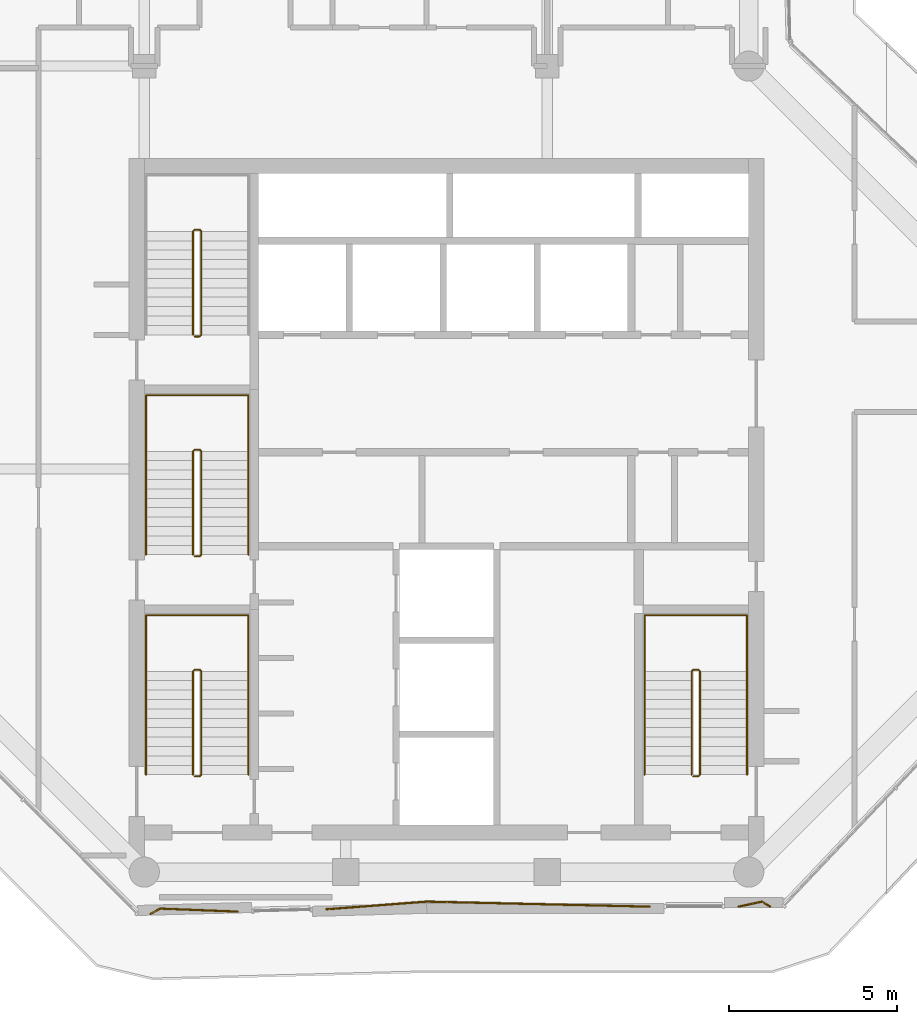
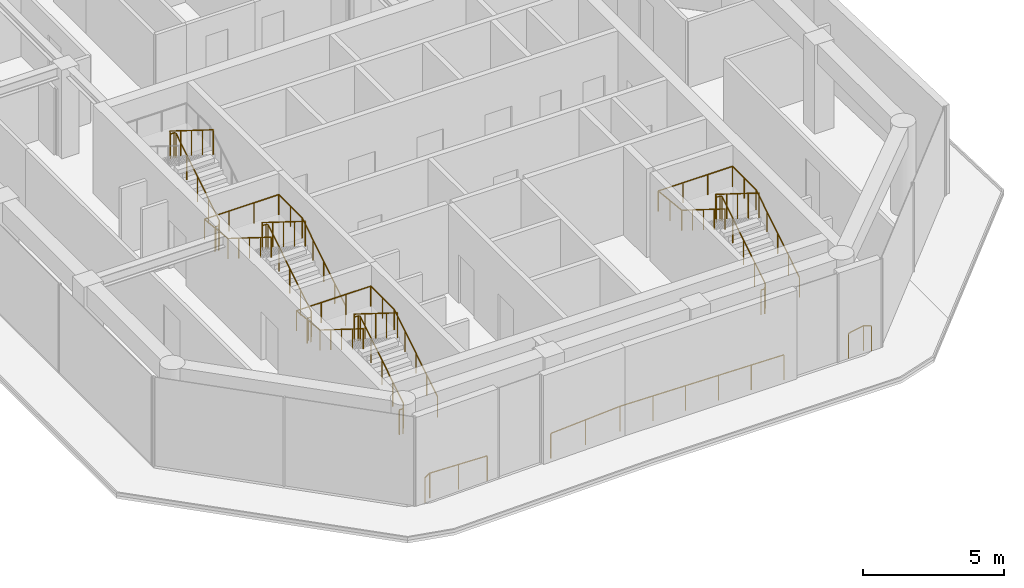
# One storey, part 19 of 20: 10 railings.
"""IFC4 building model written with IfcOpenShell, lengths in metres."""

from ifc_helpers import new_model, si_unit, direction, frame, origin, origin_2d, place, context, subcontext, project, spatial, circle, extrude, material, type_object, element, save


model = new_model("IFC4")

# Units and contexts
model_context = context("Model", 3, precision=1e-05, world=origin(), true_north=direction((0.0, 1.0)))
body_context = subcontext(model_context, "Body", "Model", "MODEL_VIEW")
ifc_project = project(units=[si_unit("LENGTHUNIT", "METRE"), si_unit("AREAUNIT", "SQUARE_METRE"), si_unit("VOLUMEUNIT", "CUBIC_METRE"), si_unit("PLANEANGLEUNIT", "RADIAN"), si_unit("MASSUNIT", "GRAM", prefix="KILO")], contexts=[model_context])

# Site, building, storey
site_placement = place(None, origin())
site = spatial("IfcSite", under=ifc_project, at=site_placement, CompositionType="ELEMENT")
building_placement = place(site_placement, origin())
building = spatial("IfcBuilding", under=site, at=building_placement, Name="Welwitschia Terrace Campus", CompositionType="ELEMENT")
storey_placement = place(building_placement, frame((0.0, 0.0, 222.199951171875)))
storey = spatial("IfcBuildingStorey", under=building, at=storey_placement, Name="L49", CompositionType="ELEMENT", Elevation=222.199951171875)

# Railings
ifc_material_1 = material(Name="Stainless steel grade 316", Category="steel")
railing_type_1 = type_object("IfcRailingType", Name="Guard 1100", PredefinedType="GUARDRAIL", material=ifc_material_1)
railing_1_placement = place(storey_placement, frame((8.781494140625, 2.822509765625, 0.0)))
element("IfcRailing", 1, at=railing_1_placement, inside=storey, type_object=railing_type_1, Name="Guard floor edge L49.1", PredefinedType="GUARDRAIL", context=body_context, shape_type="SweptSolid", body=[
    extrude(circle(Radius=0.02392578125, at=origin_2d()), frame((0.0, 0.0, 1.076171875), z_axis=(-0.99924214888, 0.038924643886, 0.0), x_axis=(-0.038924643886, -0.99924214888, 0.0)), (0.0, 0.0, 1.0), 2.30810546875),
    extrude(circle(Radius=0.02392578125, at=origin_2d()), frame((-2.306396484375, 0.08984375, 1.076171875), z_axis=(-0.87766865125, -0.479267919449, 0.0), x_axis=(0.479267919449, -0.87766865125, 0.0)), (0.0, 0.0, 1.0), 0.3291015625),
    extrude(circle(Radius=0.02099609375, at=origin_2d()), origin(), (0.0, 0.0, 1.0), 1.052001953125),
    extrude(circle(Radius=0.02099609375, at=origin_2d()), frame((-1.1533203125, 0.044921875, 0.0)), (0.0, 0.0, 1.0), 1.052001953125),
    extrude(circle(Radius=0.02099609375, at=origin_2d()), frame((-2.306396484375, 0.08984375, 0.0)), (0.0, 0.0, 1.0), 1.052001953125),
    extrude(circle(Radius=0.02099609375, at=origin_2d()), frame((-2.59521484375, -0.06787109375, 0.0)), (0.0, 0.0, 1.0), 1.052001953125),
])
railing_2_placement = place(storey_placement, frame((21.04931640625, 2.969970703125, 0.0)))
element("IfcRailing", 2, at=railing_2_placement, inside=storey, type_object=railing_type_1, Name="Guard floor edge L49.3", PredefinedType="GUARDRAIL", context=body_context, shape_type="SweptSolid", body=[
    extrude(circle(Radius=0.02392578125, at=origin_2d()), frame((0.0, 0.0, 1.076171875), z_axis=(-0.999744504045, 0.022603686261, 0.0), x_axis=(-0.022603686261, -0.999744504045, 0.0)), (0.0, 0.0, 1.0), 6.642578125),
    extrude(circle(Radius=0.02392578125, at=origin_2d()), frame((-6.640869140625, 0.150146484375, 1.076171875), z_axis=(-0.997079893717, -0.076365473511, 0.0), x_axis=(0.076365473511, -0.997079893717, 0.0)), (0.0, 0.0, 1.0), 2.9892578125),
    extrude(circle(Radius=0.02099609375, at=origin_2d()), origin(), (0.0, 0.0, 1.0), 1.052001953125),
    extrude(circle(Radius=0.02099609375, at=origin_2d()), frame((-1.328125, 0.030029296875, 0.0)), (0.0, 0.0, 1.0), 1.052001953125),
    extrude(circle(Radius=0.02099609375, at=origin_2d()), frame((-2.65625, 0.06005859375, 0.0)), (0.0, 0.0, 1.0), 1.052001953125),
    extrude(circle(Radius=0.02099609375, at=origin_2d()), frame((-3.984619140625, 0.090087890625, 0.0)), (0.0, 0.0, 1.0), 1.052001953125),
    extrude(circle(Radius=0.02099609375, at=origin_2d()), frame((-5.312744140625, 0.1201171875, 0.0)), (0.0, 0.0, 1.0), 1.052001953125),
    extrude(circle(Radius=0.02099609375, at=origin_2d()), frame((-6.640869140625, 0.150146484375, 0.0)), (0.0, 0.0, 1.0), 1.052001953125),
    extrude(circle(Radius=0.02099609375, at=origin_2d()), frame((-8.131103515625, 0.0361328125, 0.0)), (0.0, 0.0, 1.0), 1.052001953125),
    extrude(circle(Radius=0.02099609375, at=origin_2d()), frame((-9.621337890625, -0.078125, 0.0)), (0.0, 0.0, 1.0), 1.052001953125),
])
railing_3_placement = place(storey_placement, frame((24.641357421875, 2.969970703125, 0.0)))
element("IfcRailing", 3, at=railing_3_placement, inside=storey, type_object=railing_type_1, Name="Guard floor edge L49.5", PredefinedType="GUARDRAIL", context=body_context, shape_type="SweptSolid", body=[
    extrude(circle(Radius=0.02392578125, at=origin_2d()), frame((0.0, 0.0, 1.076171875), z_axis=(-0.853887909226, 0.520456951609, 0.0), x_axis=(-0.520456951609, -0.853887909226, 0.0)), (0.0, 0.0, 1.0), 0.28857421875),
    extrude(circle(Radius=0.02392578125, at=origin_2d()), frame((-0.246337890625, 0.150146484375, 1.076171875), z_axis=(-0.977652088752, -0.210229382721, 0.0), x_axis=(0.210229382721, -0.977652088752, 0.0)), (0.0, 0.0, 1.0), 0.714111328125),
    extrude(circle(Radius=0.02099609375, at=origin_2d()), origin(), (0.0, 0.0, 1.0), 1.052001953125),
    extrude(circle(Radius=0.02099609375, at=origin_2d()), frame((-0.246337890625, 0.150146484375, 0.0)), (0.0, 0.0, 1.0), 1.052001953125),
    extrude(circle(Radius=0.02099609375, at=origin_2d()), frame((-0.944580078125, 0.0, 0.0)), (0.0, 0.0, 1.0), 1.052001953125),
])
ifc_material_2 = material(Name="Steel S355", Category="steel")
railing_type_2 = type_object("IfcRailingType", Name="Stair guard 1100", PredefinedType="GUARDRAIL", material=ifc_material_2)
railing_4_placement = place(storey_placement, frame((7.5, 6.85009765625, 0.0)))
element("IfcRailing", 4, at=railing_4_placement, inside=storey, type_object=railing_type_2, Name="L49 S1 stair guard", PredefinedType="GUARDRAIL", context=body_context, shape_type="SweptSolid", body=[
    extrude(circle(Radius=0.02392578125, at=origin_2d()), frame((0.0, 0.0, 1.076171875), z_axis=(1.0, 0.0, 0.0), x_axis=(0.0, 1.0, 0.0)), (0.0, 0.0, 1.0), 0.14990234375),
    extrude(circle(Radius=0.02392578125, at=origin_2d()), frame((0.14990234375, 0.0, 1.076171875), z_axis=(0.265155923931, 0.263862480399, 0.927399011991), x_axis=(-0.705375805398, 0.708833529934, 0.0)), (0.0, 0.0, 1.0), 0.188720703125),
    extrude(circle(Radius=0.02392578125, at=origin_2d()), frame((0.199951171875, 0.0498046875, 1.2509765625), z_axis=(0.0, 0.847998304005, 0.529998940003), x_axis=(-1.0, 0.0, 0.0)), (0.0, 0.0, 1.0), 3.632080078125),
    extrude(circle(Radius=0.02392578125, at=origin_2d()), frame((0.199951171875, 3.1298828125, 3.17626953125), z_axis=(-0.707106781187, 0.707106781187, 0.0), x_axis=(-0.707106781187, -0.707106781187, 0.0)), (0.0, 0.0, 1.0), 0.07080078125),
    extrude(circle(Radius=0.02392578125, at=origin_2d()), frame((0.14990234375, 3.179931640625, 3.17626953125), z_axis=(-1.0, 0.0, 0.0), x_axis=(0.0, -1.0, 0.0)), (0.0, 0.0, 1.0), 0.14990234375),
    extrude(circle(Radius=0.02392578125, at=origin_2d()), frame((0.0, 3.179931640625, 3.17626953125), z_axis=(-0.265065253269, -0.265065253269, 0.927081885822), x_axis=(0.707106781187, -0.707106781187, 0.0)), (0.0, 0.0, 1.0), 0.188720703125),
    extrude(circle(Radius=0.02392578125, at=origin_2d()), frame((-0.050048828125, 3.1298828125, 3.35107421875), z_axis=(0.0, -0.848028513186, 0.529950602248), x_axis=(1.0, 0.0, 0.0)), (0.0, 0.0, 1.0), 3.632080078125),
    extrude(circle(Radius=0.02099609375, at=origin_2d()), origin(), (0.0, 0.0, 1.0), 1.052001953125),
    extrude(circle(Radius=0.02099609375, at=origin_2d()), frame((0.14990234375, 0.0, 0.0)), (0.0, 0.0, 1.0), 1.052001953125),
    extrude(circle(Radius=0.02099609375, at=origin_2d()), frame((0.199951171875, 0.0498046875, 0.175048828125)), (0.0, 0.0, 1.0), 1.052001953125),
    extrude(circle(Radius=0.02099609375, at=origin_2d()), frame((0.199951171875, 0.81982421875, 0.65625)), (0.0, 0.0, 1.0), 1.052001953125),
    extrude(circle(Radius=0.02099609375, at=origin_2d()), frame((0.199951171875, 1.58984375, 1.1376953125)), (0.0, 0.0, 1.0), 1.052001953125),
    extrude(circle(Radius=0.02099609375, at=origin_2d()), frame((0.199951171875, 2.35986328125, 1.618896484375)), (0.0, 0.0, 1.0), 1.052001953125),
    extrude(circle(Radius=0.02099609375, at=origin_2d()), frame((0.199951171875, 3.1298828125, 2.10009765625)), (0.0, 0.0, 1.0), 1.052001953125),
    extrude(circle(Radius=0.02099609375, at=origin_2d()), frame((0.14990234375, 3.179931640625, 2.10009765625)), (0.0, 0.0, 1.0), 1.052001953125),
    extrude(circle(Radius=0.02099609375, at=origin_2d()), frame((0.0, 3.179931640625, 2.10009765625)), (0.0, 0.0, 1.0), 1.052001953125),
    extrude(circle(Radius=0.02099609375, at=origin_2d()), frame((-0.050048828125, 3.1298828125, 2.275146484375)), (0.0, 0.0, 1.0), 1.052001953125),
    extrude(circle(Radius=0.02099609375, at=origin_2d()), frame((-0.050048828125, 2.35986328125, 2.75634765625)), (0.0, 0.0, 1.0), 1.052001953125),
    extrude(circle(Radius=0.02099609375, at=origin_2d()), frame((-0.050048828125, 1.58984375, 3.237548828125)), (0.0, 0.0, 1.0), 1.052001953125),
    extrude(circle(Radius=0.02099609375, at=origin_2d()), frame((-0.050048828125, 0.81982421875, 3.71875)), (0.0, 0.0, 1.0), 1.052001953125),
    extrude(circle(Radius=0.02099609375, at=origin_2d()), frame((-0.050048828125, 0.0498046875, 4.199951171875)), (0.0, 0.0, 1.0), 1.052001953125),
])
railing_5_placement = place(storey_placement, frame((7.5, 13.39990234375, 0.0)))
element("IfcRailing", 5, at=railing_5_placement, inside=storey, type_object=railing_type_2, Name="L49 S3 stair guard", PredefinedType="GUARDRAIL", context=body_context, shape_type="SweptSolid", body=[
    extrude(circle(Radius=0.02392578125, at=origin_2d()), frame((0.0, 0.0, 1.076171875), z_axis=(1.0, 0.0, 0.0), x_axis=(0.0, 1.0, 0.0)), (0.0, 0.0, 1.0), 0.14990234375),
    extrude(circle(Radius=0.02392578125, at=origin_2d()), frame((0.14990234375, 0.0, 1.076171875), z_axis=(0.265065253269, 0.265065253269, 0.927081885822), x_axis=(-0.707106781187, 0.707106781187, 0.0)), (0.0, 0.0, 1.0), 0.188720703125),
    extrude(circle(Radius=0.02392578125, at=origin_2d()), frame((0.199951171875, 0.050048828125, 1.2509765625), z_axis=(0.0, 0.847998304005, 0.529998940003), x_axis=(-1.0, 0.0, 0.0)), (0.0, 0.0, 1.0), 3.632080078125),
    extrude(circle(Radius=0.02392578125, at=origin_2d()), frame((0.199951171875, 3.130126953125, 3.17626953125), z_axis=(-0.707106781187, 0.707106781187, 0.0), x_axis=(-0.707106781187, -0.707106781187, 0.0)), (0.0, 0.0, 1.0), 0.07080078125),
    extrude(circle(Radius=0.02392578125, at=origin_2d()), frame((0.14990234375, 3.18017578125, 3.17626953125), z_axis=(-1.0, 0.0, 0.0), x_axis=(0.0, -1.0, 0.0)), (0.0, 0.0, 1.0), 0.14990234375),
    extrude(circle(Radius=0.02392578125, at=origin_2d()), frame((0.0, 3.18017578125, 3.17626953125), z_axis=(-0.265065253269, -0.265065253269, 0.927081885822), x_axis=(0.707106781187, -0.707106781187, 0.0)), (0.0, 0.0, 1.0), 0.188720703125),
    extrude(circle(Radius=0.02392578125, at=origin_2d()), frame((-0.050048828125, 3.130126953125, 3.35107421875), z_axis=(0.0, -0.848028513186, 0.529950602248), x_axis=(1.0, 0.0, 0.0)), (0.0, 0.0, 1.0), 3.632080078125),
    extrude(circle(Radius=0.02099609375, at=origin_2d()), origin(), (0.0, 0.0, 1.0), 1.052001953125),
    extrude(circle(Radius=0.02099609375, at=origin_2d()), frame((0.14990234375, 0.0, 0.0)), (0.0, 0.0, 1.0), 1.052001953125),
    extrude(circle(Radius=0.02099609375, at=origin_2d()), frame((0.199951171875, 0.050048828125, 0.175048828125)), (0.0, 0.0, 1.0), 1.052001953125),
    extrude(circle(Radius=0.02099609375, at=origin_2d()), frame((0.199951171875, 0.820068359375, 0.65625)), (0.0, 0.0, 1.0), 1.052001953125),
    extrude(circle(Radius=0.02099609375, at=origin_2d()), frame((0.199951171875, 1.590087890625, 1.1376953125)), (0.0, 0.0, 1.0), 1.052001953125),
    extrude(circle(Radius=0.02099609375, at=origin_2d()), frame((0.199951171875, 2.360107421875, 1.618896484375)), (0.0, 0.0, 1.0), 1.052001953125),
    extrude(circle(Radius=0.02099609375, at=origin_2d()), frame((0.199951171875, 3.130126953125, 2.10009765625)), (0.0, 0.0, 1.0), 1.052001953125),
    extrude(circle(Radius=0.02099609375, at=origin_2d()), frame((0.14990234375, 3.18017578125, 2.10009765625)), (0.0, 0.0, 1.0), 1.052001953125),
    extrude(circle(Radius=0.02099609375, at=origin_2d()), frame((0.0, 3.18017578125, 2.10009765625)), (0.0, 0.0, 1.0), 1.052001953125),
    extrude(circle(Radius=0.02099609375, at=origin_2d()), frame((-0.050048828125, 3.130126953125, 2.275146484375)), (0.0, 0.0, 1.0), 1.052001953125),
    extrude(circle(Radius=0.02099609375, at=origin_2d()), frame((-0.050048828125, 2.360107421875, 2.75634765625)), (0.0, 0.0, 1.0), 1.052001953125),
    extrude(circle(Radius=0.02099609375, at=origin_2d()), frame((-0.050048828125, 1.590087890625, 3.237548828125)), (0.0, 0.0, 1.0), 1.052001953125),
    extrude(circle(Radius=0.02099609375, at=origin_2d()), frame((-0.050048828125, 0.820068359375, 3.71875)), (0.0, 0.0, 1.0), 1.052001953125),
    extrude(circle(Radius=0.02099609375, at=origin_2d()), frame((-0.050048828125, 0.050048828125, 4.199951171875)), (0.0, 0.0, 1.0), 1.052001953125),
])
railing_6_placement = place(storey_placement, frame((7.5, 19.949951171875, 0.0)))
element("IfcRailing", 6, at=railing_6_placement, inside=storey, type_object=railing_type_2, Name="L49 S4 stair guard", PredefinedType="GUARDRAIL", context=body_context, shape_type="SweptSolid", body=[
    extrude(circle(Radius=0.02392578125, at=origin_2d()), frame((0.0, 0.0, 1.076171875), z_axis=(1.0, 0.0, 0.0), x_axis=(0.0, 1.0, 0.0)), (0.0, 0.0, 1.0), 0.14990234375),
    extrude(circle(Radius=0.02392578125, at=origin_2d()), frame((0.14990234375, 0.0, 1.076171875), z_axis=(0.265065253269, 0.265065253269, 0.927081885822), x_axis=(-0.707106781187, 0.707106781187, 0.0)), (0.0, 0.0, 1.0), 0.188720703125),
    extrude(circle(Radius=0.02392578125, at=origin_2d()), frame((0.199951171875, 0.050048828125, 1.2509765625), z_axis=(0.0, 0.847998304005, 0.529998940003), x_axis=(-1.0, 0.0, 0.0)), (0.0, 0.0, 1.0), 3.632080078125),
    extrude(circle(Radius=0.02392578125, at=origin_2d()), frame((0.199951171875, 3.130126953125, 3.17626953125), z_axis=(-0.708833529934, 0.705375805398, 0.0), x_axis=(-0.705375805398, -0.708833529934, 0.0)), (0.0, 0.0, 1.0), 0.070556640625),
    extrude(circle(Radius=0.02392578125, at=origin_2d()), frame((0.14990234375, 3.179931640625, 3.17626953125), z_axis=(-1.0, 0.0, 0.0), x_axis=(0.0, -1.0, 0.0)), (0.0, 0.0, 1.0), 0.14990234375),
    extrude(circle(Radius=0.02392578125, at=origin_2d()), frame((0.0, 3.179931640625, 3.17626953125), z_axis=(-0.265155923931, -0.263862480399, 0.927399011991), x_axis=(0.705375805398, -0.708833529934, 0.0)), (0.0, 0.0, 1.0), 0.188720703125),
    extrude(circle(Radius=0.02392578125, at=origin_2d()), frame((-0.050048828125, 3.130126953125, 3.35107421875), z_axis=(0.0, -0.848028513186, 0.529950602248), x_axis=(1.0, 0.0, 0.0)), (0.0, 0.0, 1.0), 3.632080078125),
    extrude(circle(Radius=0.02099609375, at=origin_2d()), origin(), (0.0, 0.0, 1.0), 1.052001953125),
    extrude(circle(Radius=0.02099609375, at=origin_2d()), frame((0.14990234375, 0.0, 0.0)), (0.0, 0.0, 1.0), 1.052001953125),
    extrude(circle(Radius=0.02099609375, at=origin_2d()), frame((0.199951171875, 0.050048828125, 0.175048828125)), (0.0, 0.0, 1.0), 1.052001953125),
    extrude(circle(Radius=0.02099609375, at=origin_2d()), frame((0.199951171875, 0.820068359375, 0.65625)), (0.0, 0.0, 1.0), 1.052001953125),
    extrude(circle(Radius=0.02099609375, at=origin_2d()), frame((0.199951171875, 1.590087890625, 1.1376953125)), (0.0, 0.0, 1.0), 1.052001953125),
    extrude(circle(Radius=0.02099609375, at=origin_2d()), frame((0.199951171875, 2.360107421875, 1.618896484375)), (0.0, 0.0, 1.0), 1.052001953125),
    extrude(circle(Radius=0.02099609375, at=origin_2d()), frame((0.199951171875, 3.130126953125, 2.10009765625)), (0.0, 0.0, 1.0), 1.052001953125),
    extrude(circle(Radius=0.02099609375, at=origin_2d()), frame((0.14990234375, 3.179931640625, 2.10009765625)), (0.0, 0.0, 1.0), 1.052001953125),
    extrude(circle(Radius=0.02099609375, at=origin_2d()), frame((0.0, 3.179931640625, 2.10009765625)), (0.0, 0.0, 1.0), 1.052001953125),
    extrude(circle(Radius=0.02099609375, at=origin_2d()), frame((-0.050048828125, 3.130126953125, 2.275146484375)), (0.0, 0.0, 1.0), 1.052001953125),
    extrude(circle(Radius=0.02099609375, at=origin_2d()), frame((-0.050048828125, 2.360107421875, 2.75634765625)), (0.0, 0.0, 1.0), 1.052001953125),
    extrude(circle(Radius=0.02099609375, at=origin_2d()), frame((-0.050048828125, 1.590087890625, 3.237548828125)), (0.0, 0.0, 1.0), 1.052001953125),
    extrude(circle(Radius=0.02099609375, at=origin_2d()), frame((-0.050048828125, 0.820068359375, 3.71875)), (0.0, 0.0, 1.0), 1.052001953125),
    extrude(circle(Radius=0.02099609375, at=origin_2d()), frame((-0.050048828125, 0.050048828125, 4.199951171875)), (0.0, 0.0, 1.0), 1.052001953125),
])
railing_7_placement = place(storey_placement, frame((22.35009765625, 6.85009765625, 0.0)))
element("IfcRailing", 7, at=railing_7_placement, inside=storey, type_object=railing_type_2, Name="L49 S2 stair guard", PredefinedType="GUARDRAIL", context=body_context, shape_type="SweptSolid", body=[
    extrude(circle(Radius=0.02392578125, at=origin_2d()), frame((0.0, 0.0, 1.076171875), z_axis=(1.0, 0.0, 0.0), x_axis=(0.0, 1.0, 0.0)), (0.0, 0.0, 1.0), 0.14990234375),
    extrude(circle(Radius=0.02392578125, at=origin_2d()), frame((0.14990234375, 0.0, 1.076171875), z_axis=(0.265155923931, 0.263862480399, 0.927399011991), x_axis=(-0.705375805398, 0.708833529934, 0.0)), (0.0, 0.0, 1.0), 0.188720703125),
    extrude(circle(Radius=0.02392578125, at=origin_2d()), frame((0.199951171875, 0.0498046875, 1.2509765625), z_axis=(0.0, 0.847998304005, 0.529998940003), x_axis=(-1.0, 0.0, 0.0)), (0.0, 0.0, 1.0), 3.632080078125),
    extrude(circle(Radius=0.02392578125, at=origin_2d()), frame((0.199951171875, 3.1298828125, 3.17626953125), z_axis=(-0.707106781187, 0.707106781187, 0.0), x_axis=(-0.707106781187, -0.707106781187, 0.0)), (0.0, 0.0, 1.0), 0.07080078125),
    extrude(circle(Radius=0.02392578125, at=origin_2d()), frame((0.14990234375, 3.179931640625, 3.17626953125), z_axis=(-1.0, 0.0, 0.0), x_axis=(0.0, -1.0, 0.0)), (0.0, 0.0, 1.0), 0.14990234375),
    extrude(circle(Radius=0.02392578125, at=origin_2d()), frame((0.0, 3.179931640625, 3.17626953125), z_axis=(-0.265065253269, -0.265065253269, 0.927081885822), x_axis=(0.707106781187, -0.707106781187, 0.0)), (0.0, 0.0, 1.0), 0.188720703125),
    extrude(circle(Radius=0.02392578125, at=origin_2d()), frame((-0.050048828125, 3.1298828125, 3.35107421875), z_axis=(0.0, -0.848028513186, 0.529950602248), x_axis=(1.0, 0.0, 0.0)), (0.0, 0.0, 1.0), 3.632080078125),
    extrude(circle(Radius=0.02099609375, at=origin_2d()), origin(), (0.0, 0.0, 1.0), 1.052001953125),
    extrude(circle(Radius=0.02099609375, at=origin_2d()), frame((0.14990234375, 0.0, 0.0)), (0.0, 0.0, 1.0), 1.052001953125),
    extrude(circle(Radius=0.02099609375, at=origin_2d()), frame((0.199951171875, 0.0498046875, 0.175048828125)), (0.0, 0.0, 1.0), 1.052001953125),
    extrude(circle(Radius=0.02099609375, at=origin_2d()), frame((0.199951171875, 0.81982421875, 0.65625)), (0.0, 0.0, 1.0), 1.052001953125),
    extrude(circle(Radius=0.02099609375, at=origin_2d()), frame((0.199951171875, 1.58984375, 1.1376953125)), (0.0, 0.0, 1.0), 1.052001953125),
    extrude(circle(Radius=0.02099609375, at=origin_2d()), frame((0.199951171875, 2.35986328125, 1.618896484375)), (0.0, 0.0, 1.0), 1.052001953125),
    extrude(circle(Radius=0.02099609375, at=origin_2d()), frame((0.199951171875, 3.1298828125, 2.10009765625)), (0.0, 0.0, 1.0), 1.052001953125),
    extrude(circle(Radius=0.02099609375, at=origin_2d()), frame((0.14990234375, 3.179931640625, 2.10009765625)), (0.0, 0.0, 1.0), 1.052001953125),
    extrude(circle(Radius=0.02099609375, at=origin_2d()), frame((0.0, 3.179931640625, 2.10009765625)), (0.0, 0.0, 1.0), 1.052001953125),
    extrude(circle(Radius=0.02099609375, at=origin_2d()), frame((-0.050048828125, 3.1298828125, 2.275146484375)), (0.0, 0.0, 1.0), 1.052001953125),
    extrude(circle(Radius=0.02099609375, at=origin_2d()), frame((-0.050048828125, 2.35986328125, 2.75634765625)), (0.0, 0.0, 1.0), 1.052001953125),
    extrude(circle(Radius=0.02099609375, at=origin_2d()), frame((-0.050048828125, 1.58984375, 3.237548828125)), (0.0, 0.0, 1.0), 1.052001953125),
    extrude(circle(Radius=0.02099609375, at=origin_2d()), frame((-0.050048828125, 0.81982421875, 3.71875)), (0.0, 0.0, 1.0), 1.052001953125),
    extrude(circle(Radius=0.02099609375, at=origin_2d()), frame((-0.050048828125, 0.0498046875, 4.199951171875)), (0.0, 0.0, 1.0), 1.052001953125),
])
ifc_material_3 = material(Name="Steel S355", Category="steel")
railing_type_3 = type_object("IfcRailingType", Name="Stair handrail 900", PredefinedType="HANDRAIL", material=ifc_material_3)
railing_8_placement = place(storey_placement, frame((9.10009765625, 6.89990234375, 0.175048828125)))
element("IfcRailing", 8, at=railing_8_placement, inside=storey, type_object=railing_type_3, Name="L49 S1 stair handrail", PredefinedType="HANDRAIL", context=body_context, shape_type="SweptSolid", body=[
    extrude(circle(Radius=0.02392578125, at=origin_2d()), frame((0.0, 0.0, 0.8759765625), z_axis=(0.0, 0.847998304005, 0.529998940003), x_axis=(-1.0, 0.0, 0.0)), (0.0, 0.0, 1.0), 3.632080078125),
    extrude(circle(Radius=0.02392578125, at=origin_2d()), frame((0.0, 3.080078125, 2.80078125), z_axis=(0.0, 1.0, 0.0), x_axis=(-1.0, 0.0, 0.0)), (0.0, 0.0, 1.0), 1.669921875),
    extrude(circle(Radius=0.02392578125, at=origin_2d()), frame((0.0, 4.75, 2.80078125), z_axis=(-1.0, 0.0, 0.0), x_axis=(0.0, -1.0, 0.0)), (0.0, 0.0, 1.0), 3.050048828125),
    extrude(circle(Radius=0.02392578125, at=origin_2d()), frame((-3.050048828125, 4.75, 2.80078125), z_axis=(0.0, -0.99455077262, 0.104253348533), x_axis=(1.0, 0.0, 0.0)), (0.0, 0.0, 1.0), 1.678955078125),
    extrude(circle(Radius=0.02392578125, at=origin_2d()), frame((-3.050048828125, 3.080078125, 2.97607421875), z_axis=(0.0, -0.848028513186, 0.529950602248), x_axis=(1.0, 0.0, 0.0)), (0.0, 0.0, 1.0), 3.632080078125),
    extrude(circle(Radius=0.02099609375, at=origin_2d()), origin(), (0.0, 0.0, 1.0), 0.851806640625),
    extrude(circle(Radius=0.02099609375, at=origin_2d()), frame((0.0, 0.77001953125, 0.481201171875)), (0.0, 0.0, 1.0), 0.851806640625),
    extrude(circle(Radius=0.02099609375, at=origin_2d()), frame((0.0, 1.5400390625, 0.96240234375)), (0.0, 0.0, 1.0), 0.851806640625),
    extrude(circle(Radius=0.02099609375, at=origin_2d()), frame((0.0, 2.31005859375, 1.44384765625)), (0.0, 0.0, 1.0), 0.851806640625),
    extrude(circle(Radius=0.02099609375, at=origin_2d()), frame((0.0, 3.080078125, 1.925048828125)), (0.0, 0.0, 1.0), 0.851806640625),
    extrude(circle(Radius=0.02099609375, at=origin_2d()), frame((0.0, 3.9150390625, 1.925048828125)), (0.0, 0.0, 1.0), 0.851806640625),
    extrude(circle(Radius=0.02099609375, at=origin_2d()), frame((0.0, 4.75, 1.925048828125)), (0.0, 0.0, 1.0), 0.851806640625),
    extrude(circle(Radius=0.02099609375, at=origin_2d()), frame((-1.0166015625, 4.75, 1.925048828125)), (0.0, 0.0, 1.0), 0.851806640625),
    extrude(circle(Radius=0.02099609375, at=origin_2d()), frame((-2.033447265625, 4.75, 1.925048828125)), (0.0, 0.0, 1.0), 0.851806640625),
    extrude(circle(Radius=0.02099609375, at=origin_2d()), frame((-3.050048828125, 4.75, 1.925048828125)), (0.0, 0.0, 1.0), 0.851806640625),
    extrude(circle(Radius=0.02099609375, at=origin_2d()), frame((-3.050048828125, 3.9150390625, 2.0126953125)), (0.0, 0.0, 1.0), 0.851806640625),
    extrude(circle(Radius=0.02099609375, at=origin_2d()), frame((-3.050048828125, 3.080078125, 2.10009765625)), (0.0, 0.0, 1.0), 0.851806640625),
    extrude(circle(Radius=0.02099609375, at=origin_2d()), frame((-3.050048828125, 2.31005859375, 2.581298828125)), (0.0, 0.0, 1.0), 0.851806640625),
    extrude(circle(Radius=0.02099609375, at=origin_2d()), frame((-3.050048828125, 1.5400390625, 3.0625)), (0.0, 0.0, 1.0), 0.851806640625),
    extrude(circle(Radius=0.02099609375, at=origin_2d()), frame((-3.050048828125, 0.77001953125, 3.543701171875)), (0.0, 0.0, 1.0), 0.851806640625),
    extrude(circle(Radius=0.02099609375, at=origin_2d()), frame((-3.050048828125, 0.0, 4.02490234375)), (0.0, 0.0, 1.0), 0.851806640625),
])
railing_9_placement = place(storey_placement, frame((9.10009765625, 13.449951171875, 0.175048828125)))
element("IfcRailing", 9, at=railing_9_placement, inside=storey, type_object=railing_type_3, Name="L49 S3 stair handrail", PredefinedType="HANDRAIL", context=body_context, shape_type="SweptSolid", body=[
    extrude(circle(Radius=0.02392578125, at=origin_2d()), frame((0.0, 0.0, 0.8759765625), z_axis=(0.0, 0.847998304005, 0.529998940003), x_axis=(-1.0, 0.0, 0.0)), (0.0, 0.0, 1.0), 3.632080078125),
    extrude(circle(Radius=0.02392578125, at=origin_2d()), frame((0.0, 3.080078125, 2.80078125), z_axis=(0.0, 1.0, 0.0), x_axis=(-1.0, 0.0, 0.0)), (0.0, 0.0, 1.0), 1.669921875),
    extrude(circle(Radius=0.02392578125, at=origin_2d()), frame((0.0, 4.75, 2.80078125), z_axis=(-1.0, 0.0, 0.0), x_axis=(0.0, -1.0, 0.0)), (0.0, 0.0, 1.0), 3.050048828125),
    extrude(circle(Radius=0.02392578125, at=origin_2d()), frame((-3.050048828125, 4.75, 2.80078125), z_axis=(0.0, -0.99455077262, 0.104253348533), x_axis=(1.0, 0.0, 0.0)), (0.0, 0.0, 1.0), 1.678955078125),
    extrude(circle(Radius=0.02392578125, at=origin_2d()), frame((-3.050048828125, 3.080078125, 2.97607421875), z_axis=(0.0, -0.848028513186, 0.529950602248), x_axis=(1.0, 0.0, 0.0)), (0.0, 0.0, 1.0), 3.632080078125),
    extrude(circle(Radius=0.02099609375, at=origin_2d()), origin(), (0.0, 0.0, 1.0), 0.851806640625),
    extrude(circle(Radius=0.02099609375, at=origin_2d()), frame((0.0, 0.77001953125, 0.481201171875)), (0.0, 0.0, 1.0), 0.851806640625),
    extrude(circle(Radius=0.02099609375, at=origin_2d()), frame((0.0, 1.5400390625, 0.96240234375)), (0.0, 0.0, 1.0), 0.851806640625),
    extrude(circle(Radius=0.02099609375, at=origin_2d()), frame((0.0, 2.31005859375, 1.44384765625)), (0.0, 0.0, 1.0), 0.851806640625),
    extrude(circle(Radius=0.02099609375, at=origin_2d()), frame((0.0, 3.080078125, 1.925048828125)), (0.0, 0.0, 1.0), 0.851806640625),
    extrude(circle(Radius=0.02099609375, at=origin_2d()), frame((0.0, 3.9150390625, 1.925048828125)), (0.0, 0.0, 1.0), 0.851806640625),
    extrude(circle(Radius=0.02099609375, at=origin_2d()), frame((0.0, 4.75, 1.925048828125)), (0.0, 0.0, 1.0), 0.851806640625),
    extrude(circle(Radius=0.02099609375, at=origin_2d()), frame((-1.0166015625, 4.75, 1.925048828125)), (0.0, 0.0, 1.0), 0.851806640625),
    extrude(circle(Radius=0.02099609375, at=origin_2d()), frame((-2.033447265625, 4.75, 1.925048828125)), (0.0, 0.0, 1.0), 0.851806640625),
    extrude(circle(Radius=0.02099609375, at=origin_2d()), frame((-3.050048828125, 4.75, 1.925048828125)), (0.0, 0.0, 1.0), 0.851806640625),
    extrude(circle(Radius=0.02099609375, at=origin_2d()), frame((-3.050048828125, 3.9150390625, 2.0126953125)), (0.0, 0.0, 1.0), 0.851806640625),
    extrude(circle(Radius=0.02099609375, at=origin_2d()), frame((-3.050048828125, 3.080078125, 2.10009765625)), (0.0, 0.0, 1.0), 0.851806640625),
    extrude(circle(Radius=0.02099609375, at=origin_2d()), frame((-3.050048828125, 2.31005859375, 2.581298828125)), (0.0, 0.0, 1.0), 0.851806640625),
    extrude(circle(Radius=0.02099609375, at=origin_2d()), frame((-3.050048828125, 1.5400390625, 3.0625)), (0.0, 0.0, 1.0), 0.851806640625),
    extrude(circle(Radius=0.02099609375, at=origin_2d()), frame((-3.050048828125, 0.77001953125, 3.543701171875)), (0.0, 0.0, 1.0), 0.851806640625),
    extrude(circle(Radius=0.02099609375, at=origin_2d()), frame((-3.050048828125, 0.0, 4.02490234375)), (0.0, 0.0, 1.0), 0.851806640625),
])
railing_10_placement = place(storey_placement, frame((23.949951171875, 6.89990234375, 0.175048828125)))
element("IfcRailing", 10, at=railing_10_placement, inside=storey, type_object=railing_type_3, Name="L49 S2 stair handrail", PredefinedType="HANDRAIL", context=body_context, shape_type="SweptSolid", body=[
    extrude(circle(Radius=0.02392578125, at=origin_2d()), frame((0.0, 0.0, 0.8759765625), z_axis=(0.0, 0.847998304005, 0.529998940003), x_axis=(-1.0, 0.0, 0.0)), (0.0, 0.0, 1.0), 3.632080078125),
    extrude(circle(Radius=0.02392578125, at=origin_2d()), frame((0.0, 3.080078125, 2.80078125), z_axis=(0.0, 1.0, 0.0), x_axis=(-1.0, 0.0, 0.0)), (0.0, 0.0, 1.0), 1.669921875),
    extrude(circle(Radius=0.02392578125, at=origin_2d()), frame((0.0, 4.75, 2.80078125), z_axis=(-1.0, 0.0, 0.0), x_axis=(0.0, -1.0, 0.0)), (0.0, 0.0, 1.0), 3.050048828125),
    extrude(circle(Radius=0.02392578125, at=origin_2d()), frame((-3.050048828125, 4.75, 2.80078125), z_axis=(0.0, -0.99455077262, 0.104253348533), x_axis=(1.0, 0.0, 0.0)), (0.0, 0.0, 1.0), 1.678955078125),
    extrude(circle(Radius=0.02392578125, at=origin_2d()), frame((-3.050048828125, 3.080078125, 2.97607421875), z_axis=(0.0, -0.848028513186, 0.529950602248), x_axis=(1.0, 0.0, 0.0)), (0.0, 0.0, 1.0), 3.632080078125),
    extrude(circle(Radius=0.02099609375, at=origin_2d()), origin(), (0.0, 0.0, 1.0), 0.851806640625),
    extrude(circle(Radius=0.02099609375, at=origin_2d()), frame((0.0, 0.77001953125, 0.481201171875)), (0.0, 0.0, 1.0), 0.851806640625),
    extrude(circle(Radius=0.02099609375, at=origin_2d()), frame((0.0, 1.5400390625, 0.96240234375)), (0.0, 0.0, 1.0), 0.851806640625),
    extrude(circle(Radius=0.02099609375, at=origin_2d()), frame((0.0, 2.31005859375, 1.44384765625)), (0.0, 0.0, 1.0), 0.851806640625),
    extrude(circle(Radius=0.02099609375, at=origin_2d()), frame((0.0, 3.080078125, 1.925048828125)), (0.0, 0.0, 1.0), 0.851806640625),
    extrude(circle(Radius=0.02099609375, at=origin_2d()), frame((0.0, 3.9150390625, 1.925048828125)), (0.0, 0.0, 1.0), 0.851806640625),
    extrude(circle(Radius=0.02099609375, at=origin_2d()), frame((0.0, 4.75, 1.925048828125)), (0.0, 0.0, 1.0), 0.851806640625),
    extrude(circle(Radius=0.02099609375, at=origin_2d()), frame((-1.0166015625, 4.75, 1.925048828125)), (0.0, 0.0, 1.0), 0.851806640625),
    extrude(circle(Radius=0.02099609375, at=origin_2d()), frame((-2.033447265625, 4.75, 1.925048828125)), (0.0, 0.0, 1.0), 0.851806640625),
    extrude(circle(Radius=0.02099609375, at=origin_2d()), frame((-3.050048828125, 4.75, 1.925048828125)), (0.0, 0.0, 1.0), 0.851806640625),
    extrude(circle(Radius=0.02099609375, at=origin_2d()), frame((-3.050048828125, 3.9150390625, 2.0126953125)), (0.0, 0.0, 1.0), 0.851806640625),
    extrude(circle(Radius=0.02099609375, at=origin_2d()), frame((-3.050048828125, 3.080078125, 2.10009765625)), (0.0, 0.0, 1.0), 0.851806640625),
    extrude(circle(Radius=0.02099609375, at=origin_2d()), frame((-3.050048828125, 2.31005859375, 2.581298828125)), (0.0, 0.0, 1.0), 0.851806640625),
    extrude(circle(Radius=0.02099609375, at=origin_2d()), frame((-3.050048828125, 1.5400390625, 3.0625)), (0.0, 0.0, 1.0), 0.851806640625),
    extrude(circle(Radius=0.02099609375, at=origin_2d()), frame((-3.050048828125, 0.77001953125, 3.543701171875)), (0.0, 0.0, 1.0), 0.851806640625),
    extrude(circle(Radius=0.02099609375, at=origin_2d()), frame((-3.050048828125, 0.0, 4.02490234375)), (0.0, 0.0, 1.0), 0.851806640625),
])

save(model, "model.ifc")
